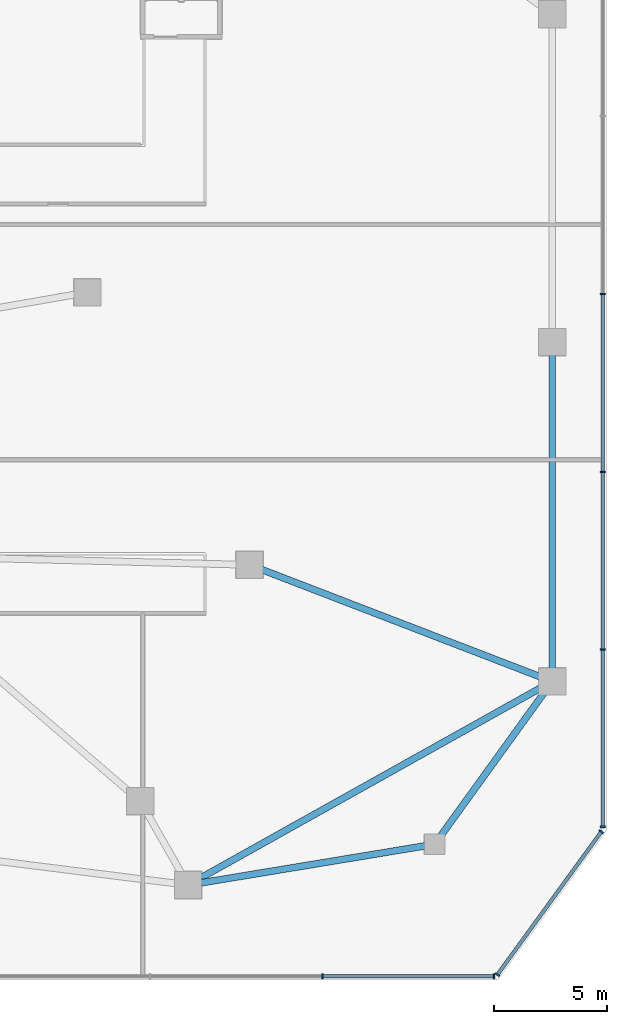
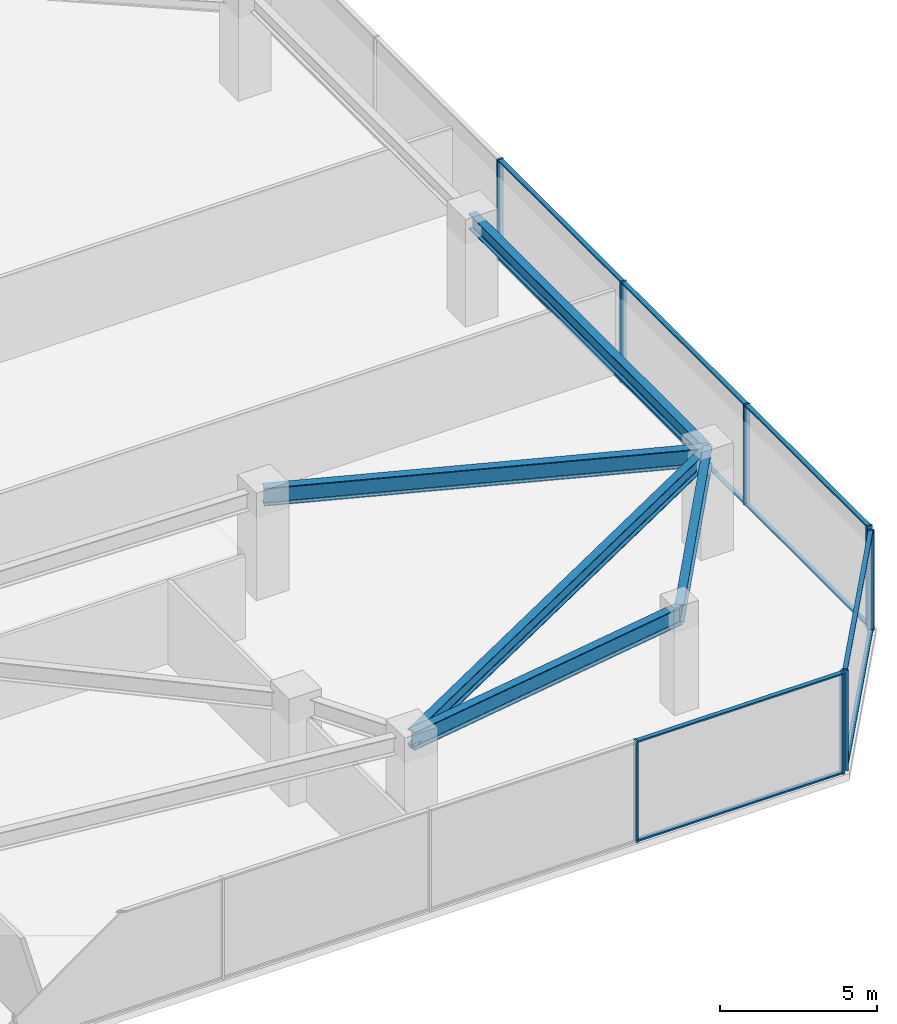
# One storey, part 8 of 22: 18 members, 5 beams, 3 elements without a shape of their own.
"""IFC4 building model written with IfcOpenShell, lengths in metres."""

from ifc_helpers import new_model, si_unit, direction, frame, origin, origin_2d, place, context, subcontext, project, spatial, rectangle, i_section, extrude, material, material_profile, profile_set, type_object, element, aggregate, save


model = new_model("IFC4")

# Units and contexts
model_context = context("Model", 3, precision=1e-05, world=origin(), true_north=direction((0.0, 1.0)))
body_context = subcontext(model_context, "Body", "Model", "MODEL_VIEW")
ifc_project = project(units=[si_unit("LENGTHUNIT", "METRE"), si_unit("AREAUNIT", "SQUARE_METRE"), si_unit("VOLUMEUNIT", "CUBIC_METRE"), si_unit("PLANEANGLEUNIT", "RADIAN"), si_unit("MASSUNIT", "GRAM", prefix="KILO")], contexts=[model_context])

# Site, building, storey
site_placement = place(None, origin())
site = spatial("IfcSite", under=ifc_project, at=site_placement, CompositionType="ELEMENT")
building_placement = place(site_placement, origin())
building = spatial("IfcBuilding", under=site, at=building_placement, Name="Savorim Split Tower", CompositionType="ELEMENT")
storey_placement = place(building_placement, frame((0.0, 0.0, 13.39990234375)))
storey = spatial("IfcBuildingStorey", under=building, at=storey_placement, Name="L03", CompositionType="ELEMENT", Elevation=13.39990234375)

# Beams
ifc_material_1 = material(Name="Steel S355", Category="steel")
ifc_material_profile_1 = material_profile(ifc_material_1, i_section(OverallWidth=0.300048828125, OverallDepth=0.699951171875, WebThickness=0.01708984375, FlangeThickness=0.031982421875, FilletRadius=0.027099609375, at=origin_2d()), Name="HEB 700")
ifc_profile_set_1 = profile_set([ifc_material_profile_1], Name="Steel S355")
beam_type_1 = type_object("IfcBeamType", Name="BM-PRI-HEB700", PredefinedType="BEAM", material=ifc_profile_set_1)
beam_1_placement = place(storey_placement, frame((22.5, -24.0, 3.570068359375), z_axis=(0.986636527583, 0.162936682298, 0.0), x_axis=(-0.162936682298, 0.986636527583, 0.0)))
element("IfcBeam", 1, at=beam_1_placement, inside=storey, type_object=beam_type_1, Name="L03 Podium Primary Girder BG-05", PredefinedType="BEAM", context=body_context, shape_type="SweptSolid", body=[
    extrude(i_section(OverallWidth=0.300048828125, OverallDepth=0.699951171875, WebThickness=0.01708984375, FlangeThickness=0.031982421875, FilletRadius=0.027099609375, at=origin_2d()), origin(), (0.0, 0.0, 1.0), 11.047607421875),
])
beam_2_placement = place(storey_placement, frame((33.39990234375, -22.199951171875, 3.570068359375), z_axis=(0.585507615617, 0.810666905735, 0.0), x_axis=(-0.810666905735, 0.585507615617, 0.0)))
element("IfcBeam", 2, at=beam_2_placement, inside=storey, type_object=beam_type_1, Name="L03 Podium Primary Girder BG-06", PredefinedType="BEAM", context=body_context, shape_type="SweptSolid", body=[
    extrude(i_section(OverallWidth=0.300048828125, OverallDepth=0.699951171875, WebThickness=0.01708984375, FlangeThickness=0.031982421875, FilletRadius=0.027099609375, at=origin_2d()), origin(), (0.0, 0.0, 1.0), 8.881591796875),
])
beam_3_placement = place(storey_placement, frame((38.60009765625, -15.0, 3.570068359375), z_axis=(-0.933209998247, 0.359331461427, 0.0), x_axis=(-0.359331461427, -0.933209998247, 0.0)))
element("IfcBeam", 3, at=beam_3_placement, inside=storey, type_object=beam_type_1, Name="L03 Podium Primary Girder BG-07", PredefinedType="BEAM", context=body_context, shape_type="SweptSolid", body=[
    extrude(i_section(OverallWidth=0.300048828125, OverallDepth=0.699951171875, WebThickness=0.01708984375, FlangeThickness=0.031982421875, FilletRadius=0.027099609375, at=origin_2d()), origin(), (0.0, 0.0, 1.0), 14.3447265625),
])
ifc_material_profile_2 = material_profile(ifc_material_1, i_section(OverallWidth=0.300048828125, OverallDepth=0.590087890625, WebThickness=0.012939453125, FlangeThickness=0.02490234375, FilletRadius=0.027099609375, at=origin_2d()), Name="HEA 600")
ifc_profile_set_2 = profile_set([ifc_material_profile_2], Name="Steel S355")
beam_type_2 = type_object("IfcBeamType", Name="BM-SPN-HEA600", PredefinedType="SPANDREL", material=ifc_profile_set_2)
beam_4_placement = place(storey_placement, frame((22.5, -24.0, 3.625), z_axis=(0.872876830371, 0.487940610117, 0.0), x_axis=(-0.487940610117, 0.872876830371, 0.0)))
element("IfcBeam", 4, at=beam_4_placement, inside=storey, type_object=beam_type_2, Name="L03 Podium Spandrel Beam 2", PredefinedType="SPANDREL", context=body_context, shape_type="SweptSolid", body=[
    extrude(i_section(OverallWidth=0.300048828125, OverallDepth=0.590087890625, WebThickness=0.012939453125, FlangeThickness=0.02490234375, FilletRadius=0.027099609375, at=origin_2d()), origin(), (0.0, 0.0, 1.0), 18.44482421875),
])
beam_5_placement = place(storey_placement, frame((38.60009765625, -15.0, 3.625), z_axis=(0.0, 1.0, 0.0), x_axis=(-1.0, 0.0, 0.0)))
element("IfcBeam", 5, at=beam_5_placement, inside=storey, type_object=beam_type_2, Name="L03 Podium Spandrel Beam 3", PredefinedType="SPANDREL", context=body_context, shape_type="SweptSolid", body=[
    extrude(i_section(OverallWidth=0.300048828125, OverallDepth=0.590087890625, WebThickness=0.012939453125, FlangeThickness=0.02490234375, FilletRadius=0.027099609375, at=origin_2d()), origin(), (0.0, 0.0, 1.0), 15.0),
])

# Curtain wall, members
ifc_material_2 = material(Name="Dark Ceramic-Fritted Insulated Glass", Category="glass")
curtain_wall_type = type_object("IfcCurtainWallType", Name="CW-POD-GLZ", PredefinedType="NOTDEFINED", material=ifc_material_2)
curtain_wall_1_placement = place(storey_placement, origin())
curtain_wall_1 = element("IfcCurtainWall", 6, at=curtain_wall_1_placement, inside=storey, type_object=curtain_wall_type, Name="L03 Curtain Wall CW-L03-E04", PredefinedType="NOTDEFINED")
ifc_material_3 = material(Name="Charcoal Anodised Aluminium", Category="aluminium")
ifc_material_profile_3 = material_profile(ifc_material_3, rectangle(XDim=0.219970703125, YDim=0.070068359375, at=origin_2d()), Name="ALU-M 220x70")
ifc_profile_set_3 = profile_set([ifc_material_profile_3], Name="Charcoal Anodised Aluminium")
member_type_1 = type_object("IfcMemberType", Name="CWM-220x70", PredefinedType="MULLION", material=ifc_profile_set_3)
member_1_placement = place(storey_placement, frame((28.43310546875, -28.0400390625, 0.0), z_axis=(0.0, 0.0, 1.0), x_axis=(0.0, 1.0, 0.0)))
member_1 = element("IfcMember", 7, at=member_1_placement, type_object=member_type_1, Name="CW-01 mullion 8", PredefinedType="MULLION", context=body_context, shape_type="SweptSolid", body=[
    extrude(rectangle(XDim=0.219970703125, YDim=0.070068359375, at=origin_2d()), origin(), (0.0, 0.0, 1.0), 3.920166015625),
])
member_2_placement = place(storey_placement, frame((36.02490234375, -28.0400390625, 0.0), z_axis=(0.0, 0.0, 1.0), x_axis=(0.0, 1.0, 0.0)))
member_2 = element("IfcMember", 8, at=member_2_placement, type_object=member_type_1, Name="CW-01 mullion 9", PredefinedType="MULLION", context=body_context, shape_type="SweptSolid", body=[
    extrude(rectangle(XDim=0.219970703125, YDim=0.070068359375, at=origin_2d()), origin(), (0.0, 0.0, 1.0), 3.920166015625),
])

curtain_wall_2_placement = place(storey_placement, origin())
curtain_wall_2 = element("IfcCurtainWall", 9, at=curtain_wall_2_placement, inside=storey, type_object=curtain_wall_type, Name="L03 Curtain Wall CW-L03-E05", PredefinedType="NOTDEFINED")
member_3_placement = place(storey_placement, frame((36.173583984375, -27.96435546875, 0.0), z_axis=(0.0, 0.0, 1.0), x_axis=(-0.808732792063, 0.588176224478, 0.0)))
member_3 = element("IfcMember", 10, at=member_3_placement, type_object=member_type_1, Name="CW-01 mullion 1", PredefinedType="MULLION", context=body_context, shape_type="SweptSolid", body=[
    extrude(rectangle(XDim=0.219970703125, YDim=0.070068359375, at=origin_2d()), origin(), (0.0, 0.0, 1.0), 3.920166015625),
])
member_4_placement = place(storey_placement, frame((40.767822265625, -21.6474609375, 0.0), z_axis=(0.0, 0.0, 1.0), x_axis=(-0.808732792063, 0.588176224478, 0.0)))
member_4 = element("IfcMember", 11, at=member_4_placement, type_object=member_type_1, Name="CW-01 mullion 2", PredefinedType="MULLION", context=body_context, shape_type="SweptSolid", body=[
    extrude(rectangle(XDim=0.219970703125, YDim=0.070068359375, at=origin_2d()), origin(), (0.0, 0.0, 1.0), 3.920166015625),
])

curtain_wall_3_placement = place(storey_placement, origin())
curtain_wall_3 = element("IfcCurtainWall", 12, at=curtain_wall_3_placement, inside=storey, type_object=curtain_wall_type, Name="L03 Curtain Wall CW-L03-E06", PredefinedType="NOTDEFINED")
member_5_placement = place(storey_placement, frame((40.840087890625, -21.425048828125, 0.0), z_axis=(0.0, 0.0, 1.0), x_axis=(-1.0, 0.0, 0.0)))
member_5 = element("IfcMember", 13, at=member_5_placement, type_object=member_type_1, Name="CW-01 mullion 1", PredefinedType="MULLION", context=body_context, shape_type="SweptSolid", body=[
    extrude(rectangle(XDim=0.219970703125, YDim=0.070068359375, at=origin_2d()), origin(), (0.0, 0.0, 1.0), 3.920166015625),
])
member_6_placement = place(storey_placement, frame((40.840087890625, -13.595947265625, 0.0), z_axis=(0.0, 0.0, 1.0), x_axis=(-1.0, 0.0, 0.0)))
member_6 = element("IfcMember", 14, at=member_6_placement, type_object=member_type_1, Name="CW-01 mullion 2", PredefinedType="MULLION", context=body_context, shape_type="SweptSolid", body=[
    extrude(rectangle(XDim=0.219970703125, YDim=0.070068359375, at=origin_2d()), origin(), (0.0, 0.0, 1.0), 3.920166015625),
])
member_7_placement = place(storey_placement, frame((40.840087890625, -5.73193359375, 0.0), z_axis=(0.0, 0.0, 1.0), x_axis=(-1.0, 0.0, 0.0)))
member_7 = element("IfcMember", 15, at=member_7_placement, type_object=member_type_1, Name="CW-01 mullion 3", PredefinedType="MULLION", context=body_context, shape_type="SweptSolid", body=[
    extrude(rectangle(XDim=0.219970703125, YDim=0.070068359375, at=origin_2d()), origin(), (0.0, 0.0, 1.0), 3.920166015625),
])
member_8_placement = place(storey_placement, frame((40.840087890625, 2.132080078125, 0.0), z_axis=(0.0, 0.0, 1.0), x_axis=(-1.0, 0.0, 0.0)))
member_8 = element("IfcMember", 16, at=member_8_placement, type_object=member_type_1, Name="CW-01 mullion 4", PredefinedType="MULLION", context=body_context, shape_type="SweptSolid", body=[
    extrude(rectangle(XDim=0.219970703125, YDim=0.070068359375, at=origin_2d()), origin(), (0.0, 0.0, 1.0), 3.920166015625),
])

# Member
ifc_material_profile_4 = material_profile(ifc_material_3, rectangle(XDim=0.159912109375, YDim=0.06005859375, at=origin_2d()), Name="ALU-T 160x60")
ifc_profile_set_4 = profile_set([ifc_material_profile_4], Name="Charcoal Anodised Aluminium")
member_type_2 = type_object("IfcMemberType", Name="CWT-160x60", PredefinedType="USERDEFINED", material=ifc_profile_set_4)
member_9_placement = place(storey_placement, frame((28.468017578125, -28.0400390625, 0.030029296875), z_axis=(1.0, 0.0, 0.0), x_axis=(0.0, 1.0, 0.0)))
member_9 = element("IfcMember", 17, at=member_9_placement, type_object=member_type_2, Name="CW-01 transom 8.1", ObjectType="TRANSOM", PredefinedType="USERDEFINED", context=body_context, shape_type="SweptSolid", body=[
    extrude(rectangle(XDim=0.159912109375, YDim=0.06005859375, at=origin_2d()), origin(), (0.0, 0.0, 1.0), 7.52197265625),
])

member_10_placement = place(storey_placement, frame((28.468017578125, -28.0400390625, 3.89013671875), z_axis=(1.0, 0.0, 0.0), x_axis=(0.0, 1.0, 0.0)))
member_10 = element("IfcMember", 18, at=member_10_placement, type_object=member_type_2, Name="CW-01 transom 8.2", ObjectType="TRANSOM", PredefinedType="USERDEFINED", context=body_context, shape_type="SweptSolid", body=[
    extrude(rectangle(XDim=0.159912109375, YDim=0.06005859375, at=origin_2d()), origin(), (0.0, 0.0, 1.0), 7.52197265625),
])

aggregate(curtain_wall_1, [member_1, member_2, member_9, member_10])

member_11_placement = place(storey_placement, frame((36.194091796875, -27.93603515625, 0.030029296875), z_axis=(0.588177323599, 0.808731992692, 0.0), x_axis=(-0.808731992692, 0.588177323599, 0.0)))
member_11 = element("IfcMember", 19, at=member_11_placement, type_object=member_type_2, Name="CW-01 transom 1.1", ObjectType="TRANSOM", PredefinedType="USERDEFINED", context=body_context, shape_type="SweptSolid", body=[
    extrude(rectangle(XDim=0.159912109375, YDim=0.06005859375, at=origin_2d()), origin(), (0.0, 0.0, 1.0), 7.74072265625),
])

member_12_placement = place(storey_placement, frame((36.194091796875, -27.93603515625, 3.89013671875), z_axis=(0.588177323599, 0.808731992692, 0.0), x_axis=(-0.808731992692, 0.588177323599, 0.0)))
member_12 = element("IfcMember", 20, at=member_12_placement, type_object=member_type_2, Name="CW-01 transom 1.2", ObjectType="TRANSOM", PredefinedType="USERDEFINED", context=body_context, shape_type="SweptSolid", body=[
    extrude(rectangle(XDim=0.159912109375, YDim=0.06005859375, at=origin_2d()), origin(), (0.0, 0.0, 1.0), 7.74072265625),
])

aggregate(curtain_wall_2, [member_3, member_4, member_11, member_12])

member_13_placement = place(storey_placement, frame((40.840087890625, -21.389892578125, 0.030029296875), z_axis=(0.0, 1.0, 0.0), x_axis=(-1.0, 0.0, 0.0)))
member_13 = element("IfcMember", 21, at=member_13_placement, type_object=member_type_2, Name="CW-01 transom 1.1", ObjectType="TRANSOM", PredefinedType="USERDEFINED", context=body_context, shape_type="SweptSolid", body=[
    extrude(rectangle(XDim=0.159912109375, YDim=0.06005859375, at=origin_2d()), origin(), (0.0, 0.0, 1.0), 7.7587890625),
])

member_14_placement = place(storey_placement, frame((40.840087890625, -21.389892578125, 3.89013671875), z_axis=(0.0, 1.0, 0.0), x_axis=(-1.0, 0.0, 0.0)))
member_14 = element("IfcMember", 22, at=member_14_placement, type_object=member_type_2, Name="CW-01 transom 1.2", ObjectType="TRANSOM", PredefinedType="USERDEFINED", context=body_context, shape_type="SweptSolid", body=[
    extrude(rectangle(XDim=0.159912109375, YDim=0.06005859375, at=origin_2d()), origin(), (0.0, 0.0, 1.0), 7.7587890625),
])

member_15_placement = place(storey_placement, frame((40.840087890625, -13.56103515625, 0.030029296875), z_axis=(0.0, 1.0, 0.0), x_axis=(-1.0, 0.0, 0.0)))
member_15 = element("IfcMember", 23, at=member_15_placement, type_object=member_type_2, Name="CW-01 transom 2.1", ObjectType="TRANSOM", PredefinedType="USERDEFINED", context=body_context, shape_type="SweptSolid", body=[
    extrude(rectangle(XDim=0.159912109375, YDim=0.06005859375, at=origin_2d()), origin(), (0.0, 0.0, 1.0), 7.7939453125),
])

member_16_placement = place(storey_placement, frame((40.840087890625, -13.56103515625, 3.89013671875), z_axis=(0.0, 1.0, 0.0), x_axis=(-1.0, 0.0, 0.0)))
member_16 = element("IfcMember", 24, at=member_16_placement, type_object=member_type_2, Name="CW-01 transom 2.2", ObjectType="TRANSOM", PredefinedType="USERDEFINED", context=body_context, shape_type="SweptSolid", body=[
    extrude(rectangle(XDim=0.159912109375, YDim=0.06005859375, at=origin_2d()), origin(), (0.0, 0.0, 1.0), 7.7939453125),
])

member_17_placement = place(storey_placement, frame((40.840087890625, -5.697021484375, 0.030029296875), z_axis=(0.0, 1.0, 0.0), x_axis=(-1.0, 0.0, 0.0)))
member_17 = element("IfcMember", 25, at=member_17_placement, type_object=member_type_2, Name="CW-01 transom 3.1", ObjectType="TRANSOM", PredefinedType="USERDEFINED", context=body_context, shape_type="SweptSolid", body=[
    extrude(rectangle(XDim=0.159912109375, YDim=0.06005859375, at=origin_2d()), origin(), (0.0, 0.0, 1.0), 7.7939453125),
])

member_18_placement = place(storey_placement, frame((40.840087890625, -5.697021484375, 3.89013671875), z_axis=(0.0, 1.0, 0.0), x_axis=(-1.0, 0.0, 0.0)))
member_18 = element("IfcMember", 26, at=member_18_placement, type_object=member_type_2, Name="CW-01 transom 3.2", ObjectType="TRANSOM", PredefinedType="USERDEFINED", context=body_context, shape_type="SweptSolid", body=[
    extrude(rectangle(XDim=0.159912109375, YDim=0.06005859375, at=origin_2d()), origin(), (0.0, 0.0, 1.0), 7.7939453125),
])

aggregate(curtain_wall_3, [member_5, member_6, member_7, member_8, member_13, member_14, member_15, member_16, member_17, member_18])

save(model, "model.ifc")
